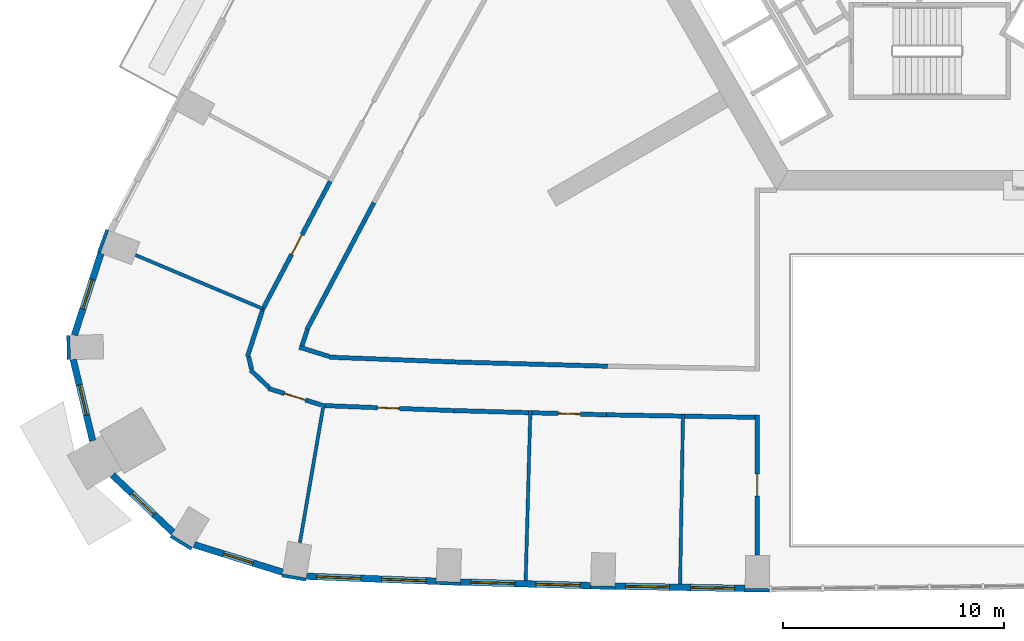
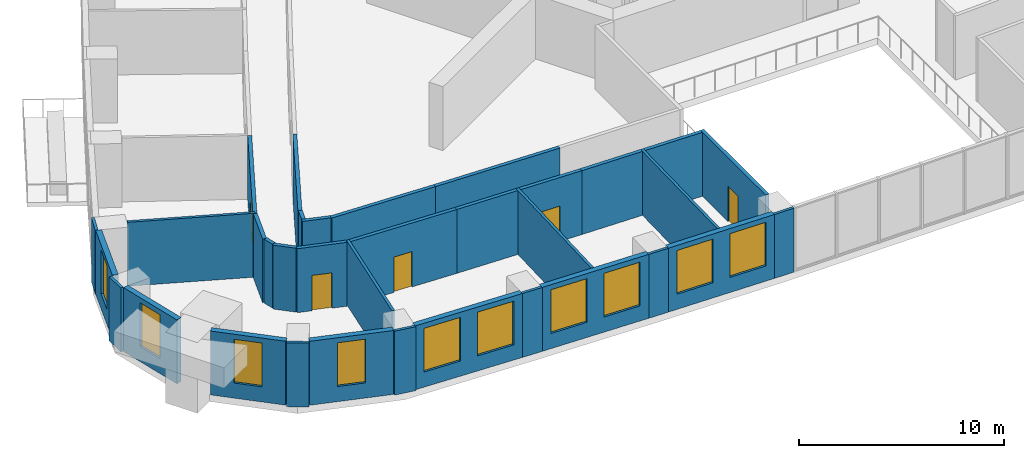
# One storey, part 4 of 15: 34 walls, 10 windows, 5 doors, 15 openings.
"""IFC4 building model written with IfcOpenShell, lengths in metres."""

from ifc_helpers import new_model, si_unit, direction, frame, frame_2d, origin, place, context, subcontext, project, spatial, rectangle, extrude, material, layer, layer_set, type_object, element, fill, save


model = new_model("IFC4")

# Units and contexts
model_context = context("Model", 3, precision=1e-05, world=origin(), true_north=direction((0.0, 1.0)))
body_context = subcontext(model_context, "Body", "Model", "MODEL_VIEW")
ifc_project = project(units=[si_unit("LENGTHUNIT", "METRE"), si_unit("AREAUNIT", "SQUARE_METRE"), si_unit("VOLUMEUNIT", "CUBIC_METRE"), si_unit("PLANEANGLEUNIT", "RADIAN"), si_unit("MASSUNIT", "GRAM", prefix="KILO")], contexts=[model_context])

# Site, building, storey
site_placement = place(None, origin())
site = spatial("IfcSite", under=ifc_project, at=site_placement, CompositionType="ELEMENT")
building_placement = place(site_placement, origin())
building = spatial("IfcBuilding", under=site, at=building_placement, Name="Entoto Arch Interchange Tower", CompositionType="ELEMENT")
storey_placement = place(building_placement, frame((0.0, 0.0, 120.199951171875)))
storey = spatial("IfcBuildingStorey", under=building, at=storey_placement, Name="L26", CompositionType="ELEMENT", Elevation=120.199951171875)

# Walls
ifc_material_1 = material(Name="Gypsum board partition on steel studs", Category="steel")
ifc_layer_1 = layer(ifc_material_1, 0.14990234375)
ifc_layer_set_1 = layer_set([ifc_layer_1], Name="Gypsum board partition on steel studs")
wall_type_1 = type_object("IfcWallType", Name="PARTITION 150", PredefinedType="PARTITIONING", material=ifc_layer_set_1)
wall_1_placement = place(storey_placement, frame((-30.174072265625, -14.866943359375, 0.0), z_axis=(0.0, 0.0, 1.0), x_axis=(-0.921262609517, 0.388941132185, 0.0)))
element("IfcWall", 1, at=wall_1_placement, inside=storey, type_object=wall_type_1, Name="wall:L26:p133", PredefinedType="PARTITIONING", context=body_context, shape_type="SweptSolid", body=[
    extrude(rectangle(XDim=6.257568359375, YDim=0.14990234375, at=frame_2d((3.12890625, 0.0))), origin(), (0.0, 0.0, 1.0), 3.800048828125),
])
wall_2_placement = place(storey_placement, frame((-27.419921875, -19.14794921875, 0.0), z_axis=(0.0, 0.0, 1.0), x_axis=(-0.169086648341, -0.985601189809, 0.0)))
element("IfcWall", 2, at=wall_2_placement, inside=storey, type_object=wall_type_1, Name="wall:L26:p134", PredefinedType="PARTITIONING", context=body_context, shape_type="SweptSolid", body=[
    extrude(rectangle(XDim=6.399169921875, YDim=0.14990234375, at=frame_2d((3.19970703125, 0.0))), origin(), (0.0, 0.0, 1.0), 3.800048828125),
])
wall_3_placement = place(storey_placement, frame((-18.071044921875, -19.468994140625, 0.0), z_axis=(0.0, 0.0, 1.0), x_axis=(-0.027648258523, -0.999617713829, 0.0)))
element("IfcWall", 3, at=wall_3_placement, inside=storey, type_object=wall_type_1, Name="wall:L26:p135", PredefinedType="PARTITIONING", context=body_context, shape_type="SweptSolid", body=[
    extrude(rectangle(XDim=7.699951171875, YDim=0.14990234375, at=frame_2d((3.85009765625, 0.0))), origin(), (0.0, 0.0, 1.0), 3.800048828125),
])
wall_4_placement = place(storey_placement, frame((-11.160888671875, -19.623046875, 0.0), z_axis=(0.0, 0.0, 1.0), x_axis=(-0.017153017473, -0.999852876173, 0.0)))
element("IfcWall", 4, at=wall_4_placement, inside=storey, type_object=wall_type_1, Name="wall:L26:p136", PredefinedType="PARTITIONING", context=body_context, shape_type="SweptSolid", body=[
    extrude(rectangle(XDim=7.7001953125, YDim=0.14990234375, at=frame_2d((3.85009765625, 0.0))), origin(), (0.0, 0.0, 1.0), 3.800048828125),
])
ifc_layer_2 = layer(ifc_material_1, 0.199951171875)
ifc_layer_set_2 = layer_set([ifc_layer_2], Name="Gypsum board partition on steel studs")
wall_type_2 = type_object("IfcWallType", Name="PARTITION 200", PredefinedType="PARTITIONING", material=ifc_layer_set_2)
wall_5_placement = place(storey_placement, frame((-25.153076171875, -10.06494140625, 0.0), z_axis=(0.0, 0.0, 1.0), x_axis=(-0.466663976618, -0.884434696813, 0.0)))
element("IfcWall", 5, at=wall_5_placement, inside=storey, type_object=wall_type_2, Name="wall:L26:p030", PredefinedType="PARTITIONING", context=body_context, shape_type="SweptSolid", body=[
    extrude(rectangle(XDim=6.501220703125, YDim=0.199951171875, at=frame_2d((3.25048828125, 0.0))), origin(), (0.0, 0.0, 1.0), 3.800048828125),
])
wall_6_placement = place(storey_placement, frame((-28.1708984375, -15.821044921875, 0.0), z_axis=(0.0, 0.0, 1.0), x_axis=(-0.308053137273, -0.951369152651, 0.0)))
element("IfcWall", 6, at=wall_6_placement, inside=storey, type_object=wall_type_2, Name="wall:L26:p031", PredefinedType="PARTITIONING", context=body_context, shape_type="SweptSolid", body=[
    extrude(rectangle(XDim=0.753662109375, YDim=0.199951171875, at=frame_2d((0.376953125, 0.0))), origin(), (0.0, 0.0, 1.0), 3.800048828125),
])
wall_7_placement = place(storey_placement, frame((-28.529052734375, -16.60302734375, 0.0), z_axis=(0.0, 0.0, 1.0), x_axis=(0.954829998701, -0.297152609916, 0.0)))
element("IfcWall", 7, at=wall_7_placement, inside=storey, type_object=wall_type_2, Name="wall:L26:p032", PredefinedType="PARTITIONING", context=body_context, shape_type="SweptSolid", body=[
    extrude(rectangle(XDim=1.43701171875, YDim=0.199951171875, at=frame_2d((0.718505859375, 0.0))), origin(), (0.0, 0.0, 1.0), 3.800048828125),
])
wall_8_placement = place(storey_placement, frame((-27.162109375, -17.055908203125, 0.0), z_axis=(0.0, 0.0, 1.0), x_axis=(0.999270868304, -0.038180253525, 0.0)))
element("IfcWall", 8, at=wall_8_placement, inside=storey, type_object=wall_type_2, Name="wall:L26:p033", PredefinedType="PARTITIONING", context=body_context, shape_type="SweptSolid", body=[
    extrude(rectangle(XDim=5.710205078125, YDim=0.199951171875, at=frame_2d((2.85498046875, 0.0))), origin(), (0.0, 0.0, 1.0), 3.800048828125),
])
wall_9_placement = place(storey_placement, frame((-21.4560546875, -17.27392578125, 0.0), z_axis=(0.0, 0.0, 1.0), x_axis=(0.999618915549, -0.02760477632, 0.0)))
element("IfcWall", 9, at=wall_9_placement, inside=storey, type_object=wall_type_2, Name="wall:L26:p034", PredefinedType="PARTITIONING", context=body_context, shape_type="SweptSolid", body=[
    extrude(rectangle(XDim=6.8896484375, YDim=0.199951171875, at=frame_2d((3.44482421875, 0.0))), origin(), (0.0, 0.0, 1.0), 3.800048828125),
])

# Wall, opening, door
wall_10_placement = place(storey_placement, frame((-30.220947265625, -14.9560546875, 0.0), z_axis=(0.0, 0.0, 1.0), x_axis=(0.466543318111, 0.884498350663, 0.0)))
wall_10 = element("IfcWall", 10, at=wall_10_placement, inside=storey, type_object=wall_type_2, Name="wall:L26:p068", PredefinedType="PARTITIONING", context=body_context, shape_type="SweptSolid", body=[
    extrude(rectangle(XDim=6.62744140625, YDim=0.199951171875, at=frame_2d((3.313720703125, 0.0))), origin(), (0.0, 0.0, 1.0), 3.800048828125),
])
opening_1_placement = place(wall_10_placement, frame((2.888916015625, 0.0, 0.0)))
opening_1 = element("IfcOpeningElement", 11, at=opening_1_placement, cuts=wall_10, Name="Opening L26-D15", PredefinedType="OPENING", context=body_context, shape_type="SweptSolid", body=[
    extrude(rectangle(XDim=1.0, YDim=2.10009765625, at=frame_2d((0.5, 1.050048828125))), frame((0.0, 0.10986328125, 0.0), z_axis=(0.0, -1.0, 0.0), x_axis=(1.0, 0.0, 0.0)), (0.0, 0.0, 1.0), 0.219970703125),
])
ifc_material_2 = material(Name="Timber door leaf in Steel S235 frame", Category="steel")
door_type = type_object("IfcDoorType", Name="DOOR DS-10 1000x2100", OperationType="SINGLE_SWING_LEFT", PredefinedType="DOOR", material=ifc_material_2)
door_1_placement = place(opening_1_placement, origin())
door_1 = element("IfcDoor", 12, at=door_1_placement, inside=storey, type_object=door_type, Name="door:L26:15", OperationType="SINGLE_SWING_LEFT", OverallHeight=2.10009765625, OverallWidth=1.0, PredefinedType="DOOR", context=body_context, shape_type="SweptSolid", body=[
    extrude(rectangle(XDim=1.0, YDim=2.10009765625, at=frame_2d((0.5, 1.050048828125))), frame((0.0, 0.02490234375, 0.0), z_axis=(0.0, -1.0, 0.0), x_axis=(1.0, 0.0, 0.0)), (0.0, 0.0, 1.0), 0.050048828125),
])
fill(opening_1, door_1)

wall_11_placement = place(storey_placement, frame((-27.532958984375, -19.217041015625, 0.0), z_axis=(0.0, 0.0, 1.0), x_axis=(-0.954946345159, 0.296778499671, 0.0)))
wall_11 = element("IfcWall", 13, at=wall_11_placement, inside=storey, type_object=wall_type_2, Name="wall:L26:p069", PredefinedType="PARTITIONING", context=body_context, shape_type="SweptSolid", body=[
    extrude(rectangle(XDim=2.490234375, YDim=0.199951171875, at=frame_2d((1.2451171875, 0.0))), origin(), (0.0, 0.0, 1.0), 3.800048828125),
])
opening_2_placement = place(wall_11_placement, frame((0.7451171875, 0.0, 0.0)))
opening_2 = element("IfcOpeningElement", 14, at=opening_2_placement, cuts=wall_11, Name="Opening L26-D16", PredefinedType="OPENING", context=body_context, shape_type="SweptSolid", body=[
    extrude(rectangle(XDim=1.0, YDim=2.10009765625, at=frame_2d((0.5, 1.050048828125))), frame((0.0, 0.10986328125, 0.0), z_axis=(0.0, -1.0, 0.0), x_axis=(1.0, 0.0, 0.0)), (0.0, 0.0, 1.0), 0.219970703125),
])
door_2_placement = place(opening_2_placement, origin())
door_2 = element("IfcDoor", 15, at=door_2_placement, inside=storey, type_object=door_type, Name="door:L26:16", OperationType="SINGLE_SWING_LEFT", OverallHeight=2.10009765625, OverallWidth=1.0, PredefinedType="DOOR", context=body_context, shape_type="SweptSolid", body=[
    extrude(rectangle(XDim=1.0, YDim=2.10009765625, at=frame_2d((0.5, 1.050048828125))), frame((0.0, 0.02490234375, 0.0), z_axis=(0.0, -1.0, 0.0), x_axis=(1.0, 0.0, 0.0)), (0.0, 0.0, 1.0), 0.050048828125),
])
fill(opening_2, door_2)

# Walls
wall_12_placement = place(storey_placement, frame((-29.887939453125, -18.43896484375, 0.0), z_axis=(0.0, 0.0, 1.0), x_axis=(-0.726155646563, 0.687530346214, 0.0)))
element("IfcWall", 16, at=wall_12_placement, inside=storey, type_object=wall_type_2, Name="wall:L26:p070", PredefinedType="PARTITIONING", context=body_context, shape_type="SweptSolid", body=[
    extrude(rectangle(XDim=1.16943359375, YDim=0.199951171875, at=frame_2d((0.584716796875, 0.0))), origin(), (0.0, 0.0, 1.0), 3.800048828125),
])
wall_13_placement = place(storey_placement, frame((-30.68701171875, -17.60693359375, 0.0), z_axis=(0.0, 0.0, 1.0), x_axis=(-0.232504544059, 0.972595309978, 0.0)))
element("IfcWall", 17, at=wall_13_placement, inside=storey, type_object=wall_type_2, Name="wall:L26:p071", PredefinedType="PARTITIONING", context=body_context, shape_type="SweptSolid", body=[
    extrude(rectangle(XDim=0.5849609375, YDim=0.199951171875, at=frame_2d((0.29248046875, 0.0))), origin(), (0.0, 0.0, 1.0), 3.800048828125),
])
wall_14_placement = place(storey_placement, frame((-30.8779296875, -17.035888671875, 0.0), z_axis=(0.0, 0.0, 1.0), x_axis=(0.308592319841, 0.951194396606, 0.0)))
element("IfcWall", 18, at=wall_14_placement, inside=storey, type_object=wall_type_2, Name="wall:L26:p072", PredefinedType="PARTITIONING", context=body_context, shape_type="SweptSolid", body=[
    extrude(rectangle(XDim=2.180419921875, YDim=0.199951171875, at=frame_2d((1.09033203125, 0.0))), origin(), (0.0, 0.0, 1.0), 3.800048828125),
])
wall_15_placement = place(storey_placement, frame((-18.14892578125, -19.56591796875, 0.0), z_axis=(0.0, 0.0, 1.0), x_axis=(-0.999621568347, 0.027508545868, 0.0)))
element("IfcWall", 19, at=wall_15_placement, inside=storey, type_object=wall_type_2, Name="wall:L26:p073", PredefinedType="PARTITIONING", context=body_context, shape_type="SweptSolid", body=[
    extrude(rectangle(XDim=3.38134765625, YDim=0.199951171875, at=frame_2d((1.690673828125, 0.0))), origin(), (0.0, 0.0, 1.0), 3.800048828125),
])

# Wall, opening, door
wall_16_placement = place(storey_placement, frame((-21.529052734375, -19.472900390625, 0.0), z_axis=(0.0, 0.0, 1.0), x_axis=(-0.999270076349, 0.038200975307, 0.0)))
wall_16 = element("IfcWall", 20, at=wall_16_placement, inside=storey, type_object=wall_type_2, Name="wall:L26:p074", PredefinedType="PARTITIONING", context=body_context, shape_type="SweptSolid", body=[
    extrude(rectangle(XDim=5.937255859375, YDim=0.199951171875, at=frame_2d((2.96875, 0.0))), origin(), (0.0, 0.0, 1.0), 3.800048828125),
])
opening_3_placement = place(wall_16_placement, frame((2.468994140625, 0.0, 0.0)))
opening_3 = element("IfcOpeningElement", 21, at=opening_3_placement, cuts=wall_16, Name="Opening L26-D17", PredefinedType="OPENING", context=body_context, shape_type="SweptSolid", body=[
    extrude(rectangle(XDim=1.0, YDim=2.10009765625, at=frame_2d((0.5, 1.050048828125))), frame((0.0, 0.10986328125, 0.0), z_axis=(0.0, -1.0, 0.0), x_axis=(1.0, 0.0, 0.0)), (0.0, 0.0, 1.0), 0.219970703125),
])
door_3_placement = place(opening_3_placement, origin())
door_3 = element("IfcDoor", 22, at=door_3_placement, inside=storey, type_object=door_type, Name="door:L26:17", OperationType="SINGLE_SWING_LEFT", OverallHeight=2.10009765625, OverallWidth=1.0, PredefinedType="DOOR", context=body_context, shape_type="SweptSolid", body=[
    extrude(rectangle(XDim=1.0, YDim=2.10009765625, at=frame_2d((0.5, 1.050048828125))), frame((0.0, 0.02490234375, 0.0), z_axis=(0.0, -1.0, 0.0), x_axis=(1.0, 0.0, 0.0)), (0.0, 0.0, 1.0), 0.050048828125),
])
fill(opening_3, door_3)

# Wall
wall_17_placement = place(storey_placement, frame((-11.237060546875, -19.721923828125, 0.0), z_axis=(0.0, 0.0, 1.0), x_axis=(-0.999853581081, 0.017111878879, 0.0)))
element("IfcWall", 23, at=wall_17_placement, inside=storey, type_object=wall_type_2, Name="wall:L26:p075", PredefinedType="PARTITIONING", context=body_context, shape_type="SweptSolid", body=[
    extrude(rectangle(XDim=3.38134765625, YDim=0.199951171875, at=frame_2d((1.690673828125, 0.0))), origin(), (0.0, 0.0, 1.0), 3.800048828125),
])

# Wall, opening, door
wall_18_placement = place(storey_placement, frame((-14.617919921875, -19.6640625, 0.0), z_axis=(0.0, 0.0, 1.0), x_axis=(-0.999621786796, 0.027500606598, 0.0)))
wall_18 = element("IfcWall", 24, at=wall_18_placement, inside=storey, type_object=wall_type_2, Name="wall:L26:p076", PredefinedType="PARTITIONING", context=body_context, shape_type="SweptSolid", body=[
    extrude(rectangle(XDim=3.38232421875, YDim=0.199951171875, at=frame_2d((1.691162109375, 0.0))), origin(), (0.0, 0.0, 1.0), 3.800048828125),
])
opening_4_placement = place(wall_18_placement, frame((1.19091796875, 0.0, 0.0)))
opening_4 = element("IfcOpeningElement", 25, at=opening_4_placement, cuts=wall_18, Name="Opening L26-D18", PredefinedType="OPENING", context=body_context, shape_type="SweptSolid", body=[
    extrude(rectangle(XDim=1.0, YDim=2.10009765625, at=frame_2d((0.5, 1.050048828125))), frame((0.0, 0.10986328125, 0.0), z_axis=(0.0, -1.0, 0.0), x_axis=(1.0, 0.0, 0.0)), (0.0, 0.0, 1.0), 0.219970703125),
])
door_4_placement = place(opening_4_placement, origin())
door_4 = element("IfcDoor", 26, at=door_4_placement, inside=storey, type_object=door_type, Name="door:L26:18", OperationType="SINGLE_SWING_LEFT", OverallHeight=2.10009765625, OverallWidth=1.0, PredefinedType="DOOR", context=body_context, shape_type="SweptSolid", body=[
    extrude(rectangle(XDim=1.0, YDim=2.10009765625, at=frame_2d((0.5, 1.050048828125))), frame((0.0, 0.02490234375, 0.0), z_axis=(0.0, -1.0, 0.0), x_axis=(1.0, 0.0, 0.0)), (0.0, 0.0, 1.0), 0.050048828125),
])
fill(opening_4, door_4)

# Wall
wall_19_placement = place(storey_placement, frame((-7.89990234375, -19.779052734375, 0.0), z_axis=(0.0, 0.0, 1.0), x_axis=(-0.999851582532, 0.017228259004, 0.0)))
element("IfcWall", 27, at=wall_19_placement, inside=storey, type_object=wall_type_2, Name="wall:L26:p077", PredefinedType="PARTITIONING", context=body_context, shape_type="SweptSolid", body=[
    extrude(rectangle(XDim=3.1884765625, YDim=0.199951171875, at=frame_2d((1.59423828125, 0.0))), origin(), (0.0, 0.0, 1.0), 3.800048828125),
])

# Wall, opening, door
wall_20_placement = place(storey_placement, frame((-7.800048828125, -26.011962890625, 0.0), z_axis=(0.0, 0.0, 1.0), x_axis=(0.0, 1.0, 0.0)))
wall_20 = element("IfcWall", 28, at=wall_20_placement, inside=storey, type_object=wall_type_2, Name="wall:L26:p113", PredefinedType="PARTITIONING", context=body_context, shape_type="SweptSolid", body=[
    extrude(rectangle(XDim=6.3310546875, YDim=0.199951171875, at=frame_2d((3.16552734375, 0.0))), origin(), (0.0, 0.0, 1.0), 3.800048828125),
])
opening_5_placement = place(wall_20_placement, frame((2.666015625, 0.0, 0.0)))
opening_5 = element("IfcOpeningElement", 29, at=opening_5_placement, cuts=wall_20, Name="Opening L26-D19", PredefinedType="OPENING", context=body_context, shape_type="SweptSolid", body=[
    extrude(rectangle(XDim=1.0, YDim=2.10009765625, at=frame_2d((0.5, 1.050048828125))), frame((0.0, 0.10986328125, 0.0), z_axis=(0.0, -1.0, 0.0), x_axis=(1.0, 0.0, 0.0)), (0.0, 0.0, 1.0), 0.219970703125),
])
door_5_placement = place(opening_5_placement, origin())
door_5 = element("IfcDoor", 30, at=door_5_placement, inside=storey, type_object=door_type, Name="door:L26:19", OperationType="SINGLE_SWING_LEFT", OverallHeight=2.10009765625, OverallWidth=1.0, PredefinedType="DOOR", context=body_context, shape_type="SweptSolid", body=[
    extrude(rectangle(XDim=1.0, YDim=2.10009765625, at=frame_2d((0.5, 1.050048828125))), frame((0.0, 0.02490234375, 0.0), z_axis=(0.0, -1.0, 0.0), x_axis=(1.0, 0.0, 0.0)), (0.0, 0.0, 1.0), 0.050048828125),
])
fill(opening_5, door_5)

# Wall, openings, windows
ifc_material_3 = material(Name="Welded tuff (ignimbrite) cladding, warm buff", Category="masonry")
ifc_layer_3 = layer(ifc_material_3, 0.300048828125)
ifc_layer_set_3 = layer_set([ifc_layer_3], Name="Welded tuff (ignimbrite) cladding, warm buff")
wall_type_3 = type_object("IfcWallType", Name="STONE INFILL WALL 300", PredefinedType="STANDARD", material=ifc_layer_set_3)
wall_21_placement = place(storey_placement, frame((-28.205078125, -26.972900390625, 0.0), z_axis=(0.0, 0.0, 1.0), x_axis=(0.999266319694, -0.03829911651, 0.0)))
wall_21 = element("IfcWall", 31, at=wall_21_placement, inside=storey, type_object=wall_type_3, Name="Facade wall S-01 L26", PredefinedType="STANDARD", context=body_context, shape_type="SweptSolid", body=[
    extrude(rectangle(XDim=5.87744140625, YDim=0.300048828125, at=frame_2d((2.938720703125, 0.0))), origin(), (0.0, 0.0, 1.0), 3.800048828125),
])
opening_6_placement = place(wall_21_placement, frame((0.468994140625, 0.0, 0.89990234375)))
opening_6 = element("IfcOpeningElement", 32, at=opening_6_placement, cuts=wall_21, Name="Opening WO-C", PredefinedType="OPENING", context=body_context, shape_type="SweptSolid", body=[
    extrude(rectangle(XDim=2.0, YDim=2.60009765625, at=frame_2d((1.0, 1.300048828125))), frame((0.0, 0.16015625, 0.0), z_axis=(0.0, -1.0, 0.0), x_axis=(1.0, 0.0, 0.0)), (0.0, 0.0, 1.0), 0.320068359375),
])
opening_7_placement = place(wall_21_placement, frame((3.407958984375, 0.0, 0.89990234375)))
opening_7 = element("IfcOpeningElement", 33, at=opening_7_placement, cuts=wall_21, Name="Opening WO-C", PredefinedType="OPENING", context=body_context, shape_type="SweptSolid", body=[
    extrude(rectangle(XDim=2.0, YDim=2.60009765625, at=frame_2d((1.0, 1.300048828125))), frame((0.0, 0.16015625, 0.0), z_axis=(0.0, -1.0, 0.0), x_axis=(1.0, 0.0, 0.0)), (0.0, 0.0, 1.0), 0.320068359375),
])
ifc_material_4 = material(Name="Clear glass, low-e double glazed", Category="glass")
window_type_1 = type_object("IfcWindowType", Name="WINDOW WO-C 2000x2600", PartitioningType="DOUBLE_PANEL_VERTICAL", PredefinedType="WINDOW", material=ifc_material_4)
window_1_placement = place(opening_6_placement, origin())
window_1 = element("IfcWindow", 34, at=window_1_placement, inside=storey, type_object=window_type_1, Name="Window WO-C S-01 L26", OverallHeight=2.60009765625, OverallWidth=2.0, PartitioningType="SINGLE_PANEL", PredefinedType="WINDOW", context=body_context, shape_type="SweptSolid", body=[
    extrude(rectangle(XDim=2.0, YDim=2.60009765625, at=frame_2d((1.0, 1.300048828125))), frame((0.0, 0.030029296875, 0.0), z_axis=(0.0, -1.0, 0.0), x_axis=(1.0, 0.0, 0.0)), (0.0, 0.0, 1.0), 0.06005859375),
])
fill(opening_6, window_1)
window_2_placement = place(opening_7_placement, origin())
window_2 = element("IfcWindow", 35, at=window_2_placement, inside=storey, type_object=window_type_1, Name="Window WO-C S-01 L26", OverallHeight=2.60009765625, OverallWidth=2.0, PartitioningType="SINGLE_PANEL", PredefinedType="WINDOW", context=body_context, shape_type="SweptSolid", body=[
    extrude(rectangle(XDim=2.0, YDim=2.60009765625, at=frame_2d((1.0, 1.300048828125))), frame((0.0, 0.030029296875, 0.0), z_axis=(0.0, -1.0, 0.0), x_axis=(1.0, 0.0, 0.0)), (0.0, 0.0, 1.0), 0.06005859375),
])
fill(opening_7, window_2)

wall_22_placement = place(storey_placement, frame((-21.235107421875, -27.23388671875, 0.0), z_axis=(0.0, 0.0, 1.0), x_axis=(0.999617542368, -0.027654456983, 0.0)))
wall_22 = element("IfcWall", 36, at=wall_22_placement, inside=storey, type_object=wall_type_3, Name="Facade wall S-02 L26", PredefinedType="STANDARD", context=body_context, shape_type="SweptSolid", body=[
    extrude(rectangle(XDim=5.897216796875, YDim=0.300048828125, at=frame_2d((2.94873046875, 0.0))), origin(), (0.0, 0.0, 1.0), 3.800048828125),
])
opening_8_placement = place(wall_22_placement, frame((0.47412109375, 0.0, 0.89990234375)))
opening_8 = element("IfcOpeningElement", 37, at=opening_8_placement, cuts=wall_22, Name="Opening WO-C", PredefinedType="OPENING", context=body_context, shape_type="SweptSolid", body=[
    extrude(rectangle(XDim=2.0, YDim=2.60009765625, at=frame_2d((1.0, 1.300048828125))), frame((0.0, 0.16015625, 0.0), z_axis=(0.0, -1.0, 0.0), x_axis=(1.0, 0.0, 0.0)), (0.0, 0.0, 1.0), 0.320068359375),
])
opening_9_placement = place(wall_22_placement, frame((3.423095703125, 0.0, 0.89990234375)))
opening_9 = element("IfcOpeningElement", 38, at=opening_9_placement, cuts=wall_22, Name="Opening WO-C", PredefinedType="OPENING", context=body_context, shape_type="SweptSolid", body=[
    extrude(rectangle(XDim=2.0, YDim=2.60009765625, at=frame_2d((1.0, 1.300048828125))), frame((0.0, 0.16015625, 0.0), z_axis=(0.0, -1.0, 0.0), x_axis=(1.0, 0.0, 0.0)), (0.0, 0.0, 1.0), 0.320068359375),
])
window_3_placement = place(opening_8_placement, origin())
window_3 = element("IfcWindow", 39, at=window_3_placement, inside=storey, type_object=window_type_1, Name="Window WO-C S-02 L26", OverallHeight=2.60009765625, OverallWidth=2.0, PartitioningType="SINGLE_PANEL", PredefinedType="WINDOW", context=body_context, shape_type="SweptSolid", body=[
    extrude(rectangle(XDim=2.0, YDim=2.60009765625, at=frame_2d((1.0, 1.300048828125))), frame((0.0, 0.030029296875, 0.0), z_axis=(0.0, -1.0, 0.0), x_axis=(1.0, 0.0, 0.0)), (0.0, 0.0, 1.0), 0.06005859375),
])
fill(opening_8, window_3)
window_4_placement = place(opening_9_placement, origin())
window_4 = element("IfcWindow", 40, at=window_4_placement, inside=storey, type_object=window_type_1, Name="Window WO-C S-02 L26", OverallHeight=2.60009765625, OverallWidth=2.0, PartitioningType="SINGLE_PANEL", PredefinedType="WINDOW", context=body_context, shape_type="SweptSolid", body=[
    extrude(rectangle(XDim=2.0, YDim=2.60009765625, at=frame_2d((1.0, 1.300048828125))), frame((0.0, 0.030029296875, 0.0), z_axis=(0.0, -1.0, 0.0), x_axis=(1.0, 0.0, 0.0)), (0.0, 0.0, 1.0), 0.06005859375),
])
fill(opening_9, window_4)

wall_23_placement = place(storey_placement, frame((-14.241943359375, -27.4208984375, 0.0), z_axis=(0.0, 0.0, 1.0), x_axis=(0.999850142513, -0.017311629508, 0.0)))
wall_23 = element("IfcWall", 41, at=wall_23_placement, inside=storey, type_object=wall_type_3, Name="Facade wall S-03 L26", PredefinedType="STANDARD", context=body_context, shape_type="SweptSolid", body=[
    extrude(rectangle(XDim=5.89501953125, YDim=0.300048828125, at=frame_2d((2.947509765625, 0.0))), origin(), (0.0, 0.0, 1.0), 3.800048828125),
])
opening_10_placement = place(wall_23_placement, frame((0.47412109375, 0.0, 0.89990234375)))
opening_10 = element("IfcOpeningElement", 42, at=opening_10_placement, cuts=wall_23, Name="Opening WO-C", PredefinedType="OPENING", context=body_context, shape_type="SweptSolid", body=[
    extrude(rectangle(XDim=2.0, YDim=2.60009765625, at=frame_2d((1.0, 1.300048828125))), frame((0.0, 0.16015625, 0.0), z_axis=(0.0, -1.0, 0.0), x_axis=(1.0, 0.0, 0.0)), (0.0, 0.0, 1.0), 0.320068359375),
])
opening_11_placement = place(wall_23_placement, frame((3.4208984375, 0.0, 0.89990234375)))
opening_11 = element("IfcOpeningElement", 43, at=opening_11_placement, cuts=wall_23, Name="Opening WO-C", PredefinedType="OPENING", context=body_context, shape_type="SweptSolid", body=[
    extrude(rectangle(XDim=2.0, YDim=2.60009765625, at=frame_2d((1.0, 1.300048828125))), frame((0.0, 0.16015625, 0.0), z_axis=(0.0, -1.0, 0.0), x_axis=(1.0, 0.0, 0.0)), (0.0, 0.0, 1.0), 0.320068359375),
])
window_5_placement = place(opening_10_placement, origin())
window_5 = element("IfcWindow", 44, at=window_5_placement, inside=storey, type_object=window_type_1, Name="Window WO-C S-03 L26", OverallHeight=2.60009765625, OverallWidth=2.0, PartitioningType="SINGLE_PANEL", PredefinedType="WINDOW", context=body_context, shape_type="SweptSolid", body=[
    extrude(rectangle(XDim=2.0, YDim=2.60009765625, at=frame_2d((1.0, 1.300048828125))), frame((0.0, 0.030029296875, 0.0), z_axis=(0.0, -1.0, 0.0), x_axis=(1.0, 0.0, 0.0)), (0.0, 0.0, 1.0), 0.06005859375),
])
fill(opening_10, window_5)
window_6_placement = place(opening_11_placement, origin())
window_6 = element("IfcWindow", 45, at=window_6_placement, inside=storey, type_object=window_type_1, Name="Window WO-C S-03 L26", OverallHeight=2.60009765625, OverallWidth=2.0, PartitioningType="SINGLE_PANEL", PredefinedType="WINDOW", context=body_context, shape_type="SweptSolid", body=[
    extrude(rectangle(XDim=2.0, YDim=2.60009765625, at=frame_2d((1.0, 1.300048828125))), frame((0.0, 0.030029296875, 0.0), z_axis=(0.0, -1.0, 0.0), x_axis=(1.0, 0.0, 0.0)), (0.0, 0.0, 1.0), 0.06005859375),
])
fill(opening_11, window_6)

# Wall, opening, window
wall_24_placement = place(storey_placement, frame((-37.508056640625, -12.35791015625, 0.0), z_axis=(0.0, 0.0, 1.0), x_axis=(-0.308484760821, -0.951229284842, 0.0)))
wall_24 = element("IfcWall", 46, at=wall_24_placement, inside=storey, type_object=wall_type_3, Name="Facade wall SW-01 L26", PredefinedType="STANDARD", context=body_context, shape_type="SweptSolid", body=[
    extrude(rectangle(XDim=3.89306640625, YDim=0.300048828125, at=frame_2d((1.946533203125, 0.0))), origin(), (0.0, 0.0, 1.0), 3.800048828125),
])
opening_12_placement = place(wall_24_placement, frame((1.24609375, 0.0, 0.89990234375)))
opening_12 = element("IfcOpeningElement", 47, at=opening_12_placement, cuts=wall_24, Name="Opening WO-B", PredefinedType="OPENING", context=body_context, shape_type="SweptSolid", body=[
    extrude(rectangle(XDim=1.39990234375, YDim=2.60009765625, at=frame_2d((0.699951171875, 1.300048828125))), frame((0.0, 0.16015625, 0.0), z_axis=(0.0, -1.0, 0.0), x_axis=(1.0, 0.0, 0.0)), (0.0, 0.0, 1.0), 0.320068359375),
])
window_type_2 = type_object("IfcWindowType", Name="WINDOW WO-B 1400x2600", PartitioningType="DOUBLE_PANEL_VERTICAL", PredefinedType="WINDOW", material=ifc_material_4)
window_7_placement = place(opening_12_placement, origin())
window_7 = element("IfcWindow", 48, at=window_7_placement, inside=storey, type_object=window_type_2, Name="Window WO-B SW-01 L26", OverallHeight=2.60009765625, OverallWidth=1.39990234375, PartitioningType="SINGLE_PANEL", PredefinedType="WINDOW", context=body_context, shape_type="SweptSolid", body=[
    extrude(rectangle(XDim=1.39990234375, YDim=2.60009765625, at=frame_2d((0.699951171875, 1.300048828125))), frame((0.0, 0.030029296875, 0.0), z_axis=(0.0, -1.0, 0.0), x_axis=(1.0, 0.0, 0.0)), (0.0, 0.0, 1.0), 0.06005859375),
])
fill(opening_12, window_7)

wall_25_placement = place(storey_placement, frame((-38.762939453125, -17.160888671875, 0.0), z_axis=(0.0, 0.0, 1.0), x_axis=(0.232654276823, -0.972559503309, 0.0)))
wall_25 = element("IfcWall", 49, at=wall_25_placement, inside=storey, type_object=wall_type_3, Name="Facade wall SW-02 L26", PredefinedType="STANDARD", context=body_context, shape_type="SweptSolid", body=[
    extrude(rectangle(XDim=3.77783203125, YDim=0.300048828125, at=frame_2d((1.888916015625, 0.0))), origin(), (0.0, 0.0, 1.0), 3.800048828125),
])
opening_13_placement = place(wall_25_placement, frame((1.18896484375, 0.0, 0.89990234375)))
opening_13 = element("IfcOpeningElement", 50, at=opening_13_placement, cuts=wall_25, Name="Opening WO-B", PredefinedType="OPENING", context=body_context, shape_type="SweptSolid", body=[
    extrude(rectangle(XDim=1.39990234375, YDim=2.60009765625, at=frame_2d((0.699951171875, 1.300048828125))), frame((0.0, 0.16015625, 0.0), z_axis=(0.0, -1.0, 0.0), x_axis=(1.0, 0.0, 0.0)), (0.0, 0.0, 1.0), 0.320068359375),
])
window_8_placement = place(opening_13_placement, origin())
window_8 = element("IfcWindow", 51, at=window_8_placement, inside=storey, type_object=window_type_2, Name="Window WO-B SW-02 L26", OverallHeight=2.60009765625, OverallWidth=1.39990234375, PartitioningType="SINGLE_PANEL", PredefinedType="WINDOW", context=body_context, shape_type="SweptSolid", body=[
    extrude(rectangle(XDim=1.39990234375, YDim=2.60009765625, at=frame_2d((0.699951171875, 1.300048828125))), frame((0.0, 0.030029296875, 0.0), z_axis=(0.0, -1.0, 0.0), x_axis=(1.0, 0.0, 0.0)), (0.0, 0.0, 1.0), 0.06005859375),
])
fill(opening_13, window_8)

wall_26_placement = place(storey_placement, frame((-36.985107421875, -22.39208984375, 0.0), z_axis=(0.0, 0.0, 1.0), x_axis=(0.726076674532, -0.687613745281, 0.0)))
wall_26 = element("IfcWall", 52, at=wall_26_placement, inside=storey, type_object=wall_type_3, Name="Facade wall SW-03 L26", PredefinedType="STANDARD", context=body_context, shape_type="SweptSolid", body=[
    extrude(rectangle(XDim=3.776611328125, YDim=0.300048828125, at=frame_2d((1.88818359375, 0.0))), origin(), (0.0, 0.0, 1.0), 3.800048828125),
])
opening_14_placement = place(wall_26_placement, frame((1.18798828125, 0.0, 0.89990234375)))
opening_14 = element("IfcOpeningElement", 53, at=opening_14_placement, cuts=wall_26, Name="Opening WO-B", PredefinedType="OPENING", context=body_context, shape_type="SweptSolid", body=[
    extrude(rectangle(XDim=1.39990234375, YDim=2.60009765625, at=frame_2d((0.699951171875, 1.300048828125))), frame((0.0, 0.16015625, 0.0), z_axis=(0.0, -1.0, 0.0), x_axis=(1.0, 0.0, 0.0)), (0.0, 0.0, 1.0), 0.320068359375),
])
window_9_placement = place(opening_14_placement, origin())
window_9 = element("IfcWindow", 54, at=window_9_placement, inside=storey, type_object=window_type_2, Name="Window WO-B SW-03 L26", OverallHeight=2.60009765625, OverallWidth=1.39990234375, PartitioningType="SINGLE_PANEL", PredefinedType="WINDOW", context=body_context, shape_type="SweptSolid", body=[
    extrude(rectangle(XDim=1.39990234375, YDim=2.60009765625, at=frame_2d((0.699951171875, 1.300048828125))), frame((0.0, 0.030029296875, 0.0), z_axis=(0.0, -1.0, 0.0), x_axis=(1.0, 0.0, 0.0)), (0.0, 0.0, 1.0), 0.06005859375),
])
fill(opening_14, window_9)

wall_27_placement = place(storey_placement, frame((-33.2939453125, -25.5419921875, 0.0), z_axis=(0.0, 0.0, 1.0), x_axis=(0.954955020021, -0.296750585066, 0.0)))
wall_27 = element("IfcWall", 55, at=wall_27_placement, inside=storey, type_object=wall_type_3, Name="Facade wall SW-04 L26", PredefinedType="STANDARD", context=body_context, shape_type="SweptSolid", body=[
    extrude(rectangle(XDim=4.19580078125, YDim=0.300048828125, at=frame_2d((2.097900390625, 0.0))), origin(), (0.0, 0.0, 1.0), 3.800048828125),
])
opening_15_placement = place(wall_27_placement, frame((1.39794921875, 0.0, 0.89990234375)))
opening_15 = element("IfcOpeningElement", 56, at=opening_15_placement, cuts=wall_27, Name="Opening WO-B", PredefinedType="OPENING", context=body_context, shape_type="SweptSolid", body=[
    extrude(rectangle(XDim=1.39990234375, YDim=2.60009765625, at=frame_2d((0.699951171875, 1.300048828125))), frame((0.0, 0.16015625, 0.0), z_axis=(0.0, -1.0, 0.0), x_axis=(1.0, 0.0, 0.0)), (0.0, 0.0, 1.0), 0.320068359375),
])
window_10_placement = place(opening_15_placement, origin())
window_10 = element("IfcWindow", 57, at=window_10_placement, inside=storey, type_object=window_type_2, Name="Window WO-B SW-04 L26", OverallHeight=2.60009765625, OverallWidth=1.39990234375, PartitioningType="SINGLE_PANEL", PredefinedType="WINDOW", context=body_context, shape_type="SweptSolid", body=[
    extrude(rectangle(XDim=1.39990234375, YDim=2.60009765625, at=frame_2d((0.699951171875, 1.300048828125))), frame((0.0, 0.030029296875, 0.0), z_axis=(0.0, -1.0, 0.0), x_axis=(1.0, 0.0, 0.0)), (0.0, 0.0, 1.0), 0.06005859375),
])
fill(opening_15, window_10)

# Walls
ifc_layer_4 = layer(ifc_material_3, 0.14990234375)
ifc_layer_set_4 = layer_set([ifc_layer_4], Name="Welded tuff (ignimbrite) cladding, warm buff")
wall_type_4 = type_object("IfcWallType", Name="STONE PIER CLADDING 150", PredefinedType="STANDARD", material=ifc_layer_set_4)
wall_28_placement = place(storey_placement, frame((-37.218017578125, -11.29296875, 0.0), z_axis=(0.0, 0.0, 1.0), x_axis=(-0.347205967468, -0.937788897436, 0.0)))
element("IfcWall", 58, at=wall_28_placement, inside=storey, type_object=wall_type_4, Name="Stone pier NW09 L26", PredefinedType="STANDARD", context=body_context, shape_type="SweptSolid", body=[
    extrude(rectangle(XDim=1.100341796875, YDim=0.14990234375, at=frame_2d((0.55029296875, 0.0))), origin(), (0.0, 0.0, 1.0), 3.800048828125),
])
wall_29_placement = place(storey_placement, frame((-29.31396484375, -26.93505859375, 0.0), z_axis=(0.0, 0.0, 1.0), x_axis=(0.985763338892, -0.168138751323, 0.0)))
element("IfcWall", 59, at=wall_29_placement, inside=storey, type_object=wall_type_4, Name="Stone pier S01 L26", PredefinedType="STANDARD", context=body_context, shape_type="SweptSolid", body=[
    extrude(rectangle(XDim=1.1005859375, YDim=0.14990234375, at=frame_2d((0.55029296875, 0.0))), origin(), (0.0, 0.0, 1.0), 3.800048828125),
])
wall_30_placement = place(storey_placement, frame((-22.3359375, -27.27490234375, 0.0), z_axis=(0.0, 0.0, 1.0), x_axis=(0.999368780235, -0.035525217693, 0.0)))
element("IfcWall", 60, at=wall_30_placement, inside=storey, type_object=wall_type_4, Name="Stone pier S02 L26", PredefinedType="STANDARD", context=body_context, shape_type="SweptSolid", body=[
    extrude(rectangle(XDim=1.099609375, YDim=0.14990234375, at=frame_2d((0.5498046875, 0.0))), origin(), (0.0, 0.0, 1.0), 3.800048828125),
])
wall_31_placement = place(storey_placement, frame((-15.343017578125, -27.47412109375, 0.0), z_axis=(0.0, 0.0, 1.0), x_axis=(0.999723421029, -0.023517683673, 0.0)))
element("IfcWall", 61, at=wall_31_placement, inside=storey, type_object=wall_type_4, Name="Stone pier S03 L26", PredefinedType="STANDARD", context=body_context, shape_type="SweptSolid", body=[
    extrude(rectangle(XDim=1.100341796875, YDim=0.14990234375, at=frame_2d((0.55029296875, 0.0))), origin(), (0.0, 0.0, 1.0), 3.800048828125),
])
wall_32_placement = place(storey_placement, frame((-8.34912109375, -27.60205078125, 0.0), z_axis=(0.0, 0.0, 1.0), x_axis=(0.99995860686, -0.009098602504, 0.0)))
element("IfcWall", 62, at=wall_32_placement, inside=storey, type_object=wall_type_4, Name="Stone pier S04 L26", PredefinedType="STANDARD", context=body_context, shape_type="SweptSolid", body=[
    extrude(rectangle(XDim=1.10009765625, YDim=0.14990234375, at=frame_2d((0.550048828125, 0.0))), origin(), (0.0, 0.0, 1.0), 3.800048828125),
])
for number, where, z_axis, x_axis, name in (
    (63, (-38.985107421875, -16.06591796875, 0.0), (0.0, 0.0, 1.0), (0.023739424163, -0.999718180159, 0.0), "Stone pier SW1 L26"),
    (64, (-34.345947265625, -25.156005859375, 0.0), (0.0, 0.0, 1.0), (0.854245682901, -0.519869515594, 0.0), "Stone pier SW3 L26"),
):
    element("IfcWall", number, at=place(storey_placement, frame(where, z_axis=z_axis, x_axis=x_axis)), inside=storey, type_object=wall_type_4, Name=name, PredefinedType="STANDARD", context=body_context, shape_type="SweptSolid", body=[
        extrude(rectangle(XDim=1.100341796875, YDim=0.14990234375, at=frame_2d((0.55029296875, 0.0))), origin(), (0.0, 0.0, 1.0), 3.800048828125),
    ])

save(model, "model.ifc")
